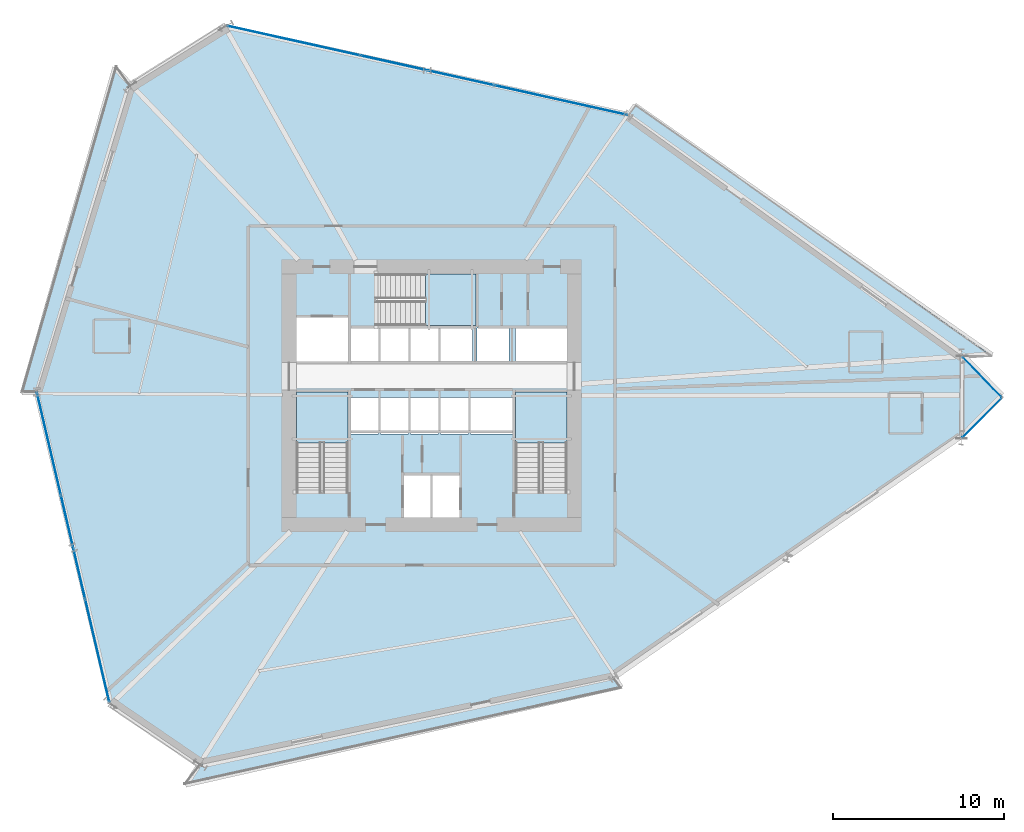
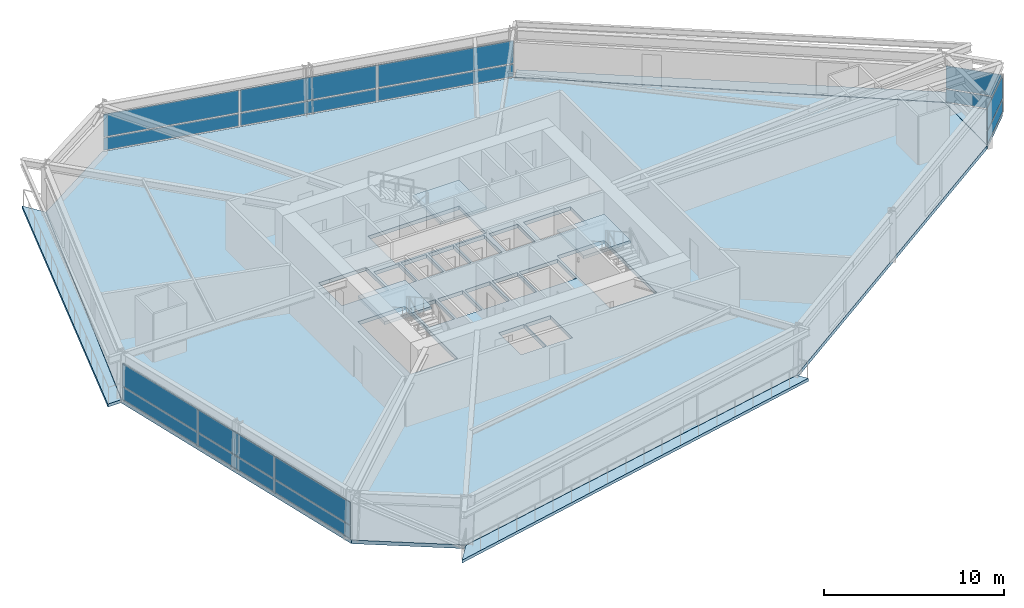
# One storey, part 14 of 24: 16 plates, 8 slabs, 7 elements without a shape of their own.
"""IFC4 building model written with IfcOpenShell, lengths in metres."""

from ifc_helpers import new_model, si_unit, direction, frame, origin, origin_2d, place, context, subcontext, project, spatial, polyline, rectangle, outline, extrude, source, transform, mapped, material, layer, layer_set, type_object, element, aggregate, save


model = new_model("IFC4")

# Units and contexts
model_context = context("Model", 3, precision=1e-05, world=origin(), true_north=direction((0.0, 1.0)))
body_context = subcontext(model_context, "Body", "Model", "MODEL_VIEW")
ifc_project = project(units=[si_unit("LENGTHUNIT", "METRE"), si_unit("AREAUNIT", "SQUARE_METRE"), si_unit("VOLUMEUNIT", "CUBIC_METRE"), si_unit("PLANEANGLEUNIT", "RADIAN"), si_unit("MASSUNIT", "GRAM", prefix="KILO")], contexts=[model_context])

# Site, building, storey
site_placement = place(None, origin())
site = spatial("IfcSite", under=ifc_project, at=site_placement, CompositionType="ELEMENT")
building_placement = place(site_placement, origin())
building = spatial("IfcBuilding", under=site, at=building_placement, Name="Olszyna Solenne Hotel", CompositionType="ELEMENT")
storey_placement = place(building_placement, frame((0.0, 0.0, 36.39990234375)))
storey = spatial("IfcBuildingStorey", under=building, at=storey_placement, Name="L08", CompositionType="ELEMENT", Elevation=36.39990234375)

# Stair, slab
ifc_material_1 = material(Name="Concrete C40/50", Category="concrete")
stair_type = type_object("IfcStairType", Name="STR-C1", PredefinedType="TWO_QUARTER_WINDING_STAIR", material=ifc_material_1)
stair_1_placement = place(storey_placement, origin())
stair_1 = element("IfcStair", 1, at=stair_1_placement, inside=storey, type_object=stair_type, Name="L08 ST1", PredefinedType="TWO_QUARTER_WINDING_STAIR")
ifc_layer_1 = layer(ifc_material_1, 0.18994140625, Name="Concrete C40/50")
ifc_layer_set_1 = layer_set([ifc_layer_1], Name="Concrete C40/50")
slab_type_1 = type_object("IfcSlabType", Name="SL-LN190", PredefinedType="LANDING", material=ifc_layer_set_1)
slab_1_placement = place(storey_placement, frame((0.0, 0.0, 1.5751953125)))
slab_1 = element("IfcSlab", 2, at=slab_1_placement, type_object=slab_type_1, Name="ST1 landing 1", PredefinedType="LANDING", context=body_context, shape_type="SweptSolid", body=[
    extrude(outline(polyline([(33.1201171875, 23.85009765625), (33.1201171875, 26.800048828125), (30.10009765625, 26.800048828125), (30.10009765625, 23.85009765625), (33.1201171875, 23.85009765625)])), origin(), (0.0, 0.0, 1.0), 0.199951171875),
])
aggregate(stair_1, [slab_1])

stair_2_placement = place(storey_placement, origin())
stair_2 = element("IfcStair", 3, at=stair_2_placement, inside=storey, type_object=stair_type, Name="L08 ST2", PredefinedType="TWO_QUARTER_WINDING_STAIR")
slab_2_placement = place(storey_placement, frame((0.0, 0.0, 1.5751953125)))
slab_2 = element("IfcSlab", 4, at=slab_2_placement, type_object=slab_type_1, Name="ST2 landing 1", PredefinedType="LANDING", context=body_context, shape_type="SweptSolid", body=[
    extrude(outline(polyline([(45.89990234375, 23.85009765625), (45.89990234375, 26.800048828125), (42.8798828125, 26.800048828125), (42.8798828125, 23.85009765625), (45.89990234375, 23.85009765625)])), origin(), (0.0, 0.0, 1.0), 0.199951171875),
])
aggregate(stair_2, [slab_2])

stair_3_placement = place(storey_placement, origin())
stair_3 = element("IfcStair", 5, at=stair_3_placement, inside=storey, type_object=stair_type, Name="L08 ST3", PredefinedType="TWO_QUARTER_WINDING_STAIR")
slab_3_placement = place(storey_placement, frame((0.0, 0.0, 1.5751953125)))
slab_3 = element("IfcSlab", 6, at=slab_3_placement, type_object=slab_type_1, Name="ST3 landing 1", PredefinedType="LANDING", context=body_context, shape_type="SweptSolid", body=[
    extrude(outline(polyline([(37.6298828125, 30.679931640625), (40.580078125, 30.679931640625), (40.580078125, 33.699951171875), (37.6298828125, 33.699951171875), (37.6298828125, 30.679931640625)])), origin(), (0.0, 0.0, 1.0), 0.199951171875),
])
aggregate(stair_3, [slab_3])

# Slabs
ifc_material_2 = material(Name="Precast concrete C45/55", Category="concrete")
ifc_layer_2 = layer(ifc_material_2, 0.199951171875, Name="Precast concrete C45/55")
ifc_layer_set_2 = layer_set([ifc_layer_2], Name="Precast concrete C45/55")
slab_type_2 = type_object("IfcSlabType", Name="SL-LOG200", PredefinedType="FLOOR", material=ifc_layer_set_2)
slab_4_placement = place(storey_placement, frame((0.0, 0.0, -0.199951171875)))
element("IfcSlab", 7, at=slab_4_placement, inside=storey, type_object=slab_type_2, Name="Exterior loggia balcony slab SL-L08-LG1", PredefinedType="FLOOR", context=body_context, shape_type="SweptSolid", body=[
    extrude(outline(polyline([(49.49267578125, 42.97705078125), (68.97412109375, 28.906494140625), (68.97509765625, 28.90576171875), (68.97607421875, 28.90478515625), (68.986083984375, 28.894287109375), (70.746337890625, 28.88720703125), (49.947998046875, 43.549560546875), (49.49267578125, 42.97705078125)])), origin(), (0.0, 0.0, 1.0), 0.199951171875),
])
slab_5_placement = place(storey_placement, frame((0.0, 0.0, -0.199951171875)))
element("IfcSlab", 8, at=slab_5_placement, inside=storey, type_object=slab_type_2, Name="Exterior loggia balcony slab SL-L08-LG2", PredefinedType="FLOOR", context=body_context, shape_type="SweptSolid", body=[
    extrude(outline(polyline([(14.940673828125, 26.83349609375), (14.94091796875, 26.834716796875), (14.94091796875, 26.836181640625), (14.94140625, 26.837646484375), (20.38525390625, 44.683837890625), (20.3857421875, 44.685302734375), (20.386474609375, 44.686767578125), (20.38720703125, 44.68798828125), (20.38818359375, 44.689208984375), (20.38916015625, 44.690185546875), (20.390380859375, 44.69140625), (20.390869140625, 44.691650390625), (19.5478515625, 45.855224609375), (14.065185546875, 26.8369140625), (14.940673828125, 26.83349609375)])), origin(), (0.0, 0.0, 1.0), 0.199951171875),
])
slab_6_placement = place(storey_placement, frame((0.0, 0.0, -0.199951171875)))
element("IfcSlab", 9, at=slab_6_placement, inside=storey, type_object=slab_type_2, Name="Exterior loggia balcony slab SL-L08-LG3", PredefinedType="FLOOR", context=body_context, shape_type="SweptSolid", body=[
    extrude(outline(polyline([(48.620849609375, 10.1162109375), (48.62060546875, 10.115966796875), (48.619140625, 10.115234375), (48.617919921875, 10.114501953125), (48.616455078125, 10.114013671875), (48.614990234375, 10.113525390625), (24.482666015625, 5.046875), (24.481201171875, 5.046630859375), (24.479736328125, 5.046630859375), (24.478271484375, 5.046630859375), (24.476806640625, 5.046875), (24.47509765625, 5.04736328125), (24.473876953125, 5.0478515625), (24.472412109375, 5.04833984375), (24.47119140625, 5.04931640625), (24.47021484375, 5.0498046875), (23.55029296875, 3.892822265625), (49.037841796875, 9.540283203125), (48.620849609375, 10.1162109375)])), origin(), (0.0, 0.0, 1.0), 0.199951171875),
])
ifc_material_3 = material(Name="Concrete C50/60", Category="concrete")
ifc_layer_3 = layer(ifc_material_3, 0.25, Name="Concrete C50/60")
ifc_layer_set_3 = layer_set([ifc_layer_3], Name="Concrete C50/60")
slab_type_3 = type_object("IfcSlabType", Name="SL-TW250", PredefinedType="FLOOR", material=ifc_layer_set_3)
slab_7_placement = place(storey_placement, frame((0.0, 0.0, -0.25)))
element("IfcSlab", 10, at=slab_7_placement, inside=storey, type_object=slab_type_3, Name="Floor slab SL-TW250 SL-L08-01", PredefinedType="FLOOR", context=body_context, shape_type="SweptSolid", body=[
    extrude(outline(polyline([(68.923583984375, 24.10986328125), (68.96533203125, 28.894287109375), (49.4833984375, 42.965087890625), (26.026123046875, 48.18896484375), (20.399658203125, 44.679443359375), (14.955810546875, 26.833251953125), (19.205810546875, 8.665771484375), (24.4794921875, 5.0615234375), (48.612060546875, 10.12841796875), (68.923583984375, 24.10986328125)]), holes=[polyline([(30.10009765625, 20.949951171875), (33.1201171875, 20.949951171875), (33.1201171875, 26.800048828125), (30.10009765625, 26.800048828125), (30.10009765625, 20.949951171875)]), polyline([(42.8798828125, 20.949951171875), (45.89990234375, 20.949951171875), (45.89990234375, 26.800048828125), (42.8798828125, 26.800048828125), (42.8798828125, 20.949951171875)]), polyline([(34.72998046875, 30.679931640625), (40.580078125, 30.679931640625), (40.580078125, 33.699951171875), (34.72998046875, 33.699951171875), (34.72998046875, 30.679931640625)]), polyline([(36.340087890625, 19.5), (37.9599609375, 19.5), (37.9599609375, 21.9599609375), (36.340087890625, 21.9599609375), (36.340087890625, 19.5)]), polyline([(38.0400390625, 19.5), (39.659912109375, 19.5), (39.659912109375, 21.9599609375), (38.0400390625, 21.9599609375), (38.0400390625, 19.5)]), polyline([(30.10009765625, 28.60009765625), (33.1201171875, 28.60009765625), (33.1201171875, 31.159912109375), (30.10009765625, 31.159912109375), (30.10009765625, 28.60009765625)]), polyline([(33.280029296875, 24.360107421875), (34.89990234375, 24.360107421875), (34.89990234375, 26.5), (33.280029296875, 26.5), (33.280029296875, 24.360107421875)]), polyline([(35.030029296875, 24.360107421875), (36.64990234375, 24.360107421875), (36.64990234375, 26.5), (35.030029296875, 26.5), (35.030029296875, 24.360107421875)]), polyline([(36.780029296875, 24.360107421875), (38.39990234375, 24.360107421875), (38.39990234375, 26.5), (36.780029296875, 26.5), (36.780029296875, 24.360107421875)]), polyline([(38.530029296875, 24.360107421875), (40.14990234375, 24.360107421875), (40.14990234375, 26.5), (38.530029296875, 26.5), (38.530029296875, 24.360107421875)]), polyline([(40.280029296875, 24.360107421875), (42.719970703125, 24.360107421875), (42.719970703125, 26.5), (40.280029296875, 26.5), (40.280029296875, 24.360107421875)]), polyline([(33.280029296875, 28.60009765625), (34.89990234375, 28.60009765625), (34.89990234375, 30.550048828125), (33.280029296875, 30.550048828125), (33.280029296875, 28.60009765625)]), polyline([(35.030029296875, 28.60009765625), (36.64990234375, 28.60009765625), (36.64990234375, 30.550048828125), (35.030029296875, 30.550048828125), (35.030029296875, 28.60009765625)]), polyline([(36.780029296875, 28.60009765625), (38.39990234375, 28.60009765625), (38.39990234375, 30.550048828125), (36.780029296875, 30.550048828125), (36.780029296875, 28.60009765625)]), polyline([(38.530029296875, 28.60009765625), (40.389892578125, 28.60009765625), (40.389892578125, 30.550048828125), (38.530029296875, 30.550048828125), (38.530029296875, 28.60009765625)]), polyline([(40.659912109375, 28.60009765625), (42.52001953125, 28.60009765625), (42.52001953125, 30.550048828125), (40.659912109375, 30.550048828125), (40.659912109375, 28.60009765625)]), polyline([(42.8798828125, 28.60009765625), (45.89990234375, 28.60009765625), (45.89990234375, 30.550048828125), (42.8798828125, 30.550048828125), (42.8798828125, 28.60009765625)])]), origin(), (0.0, 0.0, 1.0), 0.25),
])
slab_8_placement = place(storey_placement, frame((0.0, 0.0, -0.25)))
element("IfcSlab", 11, at=slab_8_placement, inside=storey, type_object=slab_type_3, Name="Faceted glass-prism floor slab SL-L08-PR", PredefinedType="FLOOR", context=body_context, shape_type="SweptSolid", body=[
    extrude(outline(polyline([(68.97509765625, 28.884033203125), (68.933837890625, 24.1201171875), (71.29443359375, 26.481689453125), (68.97509765625, 28.884033203125)])), origin(), (0.0, 0.0, 1.0), 0.25),
])

# Curtain wall, plates
ifc_material_4 = material(Name="Anodised bronze aluminium", Category="aluminium")
curtain_wall_type_1 = type_object("IfcCurtainWallType", Name="CW-SYS-2", PredefinedType="NOTDEFINED", material=ifc_material_4)
curtain_wall_1_placement = place(storey_placement, origin())
curtain_wall_1 = element("IfcCurtainWall", 12, at=curtain_wall_1_placement, inside=storey, type_object=curtain_wall_type_1, Name="Unitised curtain wall CW-SYS-2 CW-L08-01", PredefinedType="NOTDEFINED")
ifc_material_5 = material(Name="Terracotta cladding", Category="masonry")
plate_type_1 = type_object("IfcPlateType", Name="PN-SP1", PredefinedType="CURTAIN_PANEL", material=ifc_material_5)
shared_shape_1 = source(origin(), body_context, "Body", "SweptSolid", [
    extrude(rectangle(XDim=6.144287109375, YDim=0.035888671875, at=origin_2d()), origin(), (0.0, 0.0, 1.0), 0.83740234375),
])
plate_1_placement = place(storey_placement, frame((17.080810546875, 17.74951171875, 0.0751953125), z_axis=(0.0, 0.0, 1.0), x_axis=(0.227789543376, -0.973710390172, 0.0)))
plate_1 = element("IfcPlate", 13, at=plate_1_placement, type_object=plate_type_1, Name="Curtain-wall panel PN-SP1 CP-L08-01-03", PredefinedType="CURTAIN_PANEL", context=body_context, shape_type="MappedRepresentation", body=[
    mapped(shared_shape_1, transform((0.0, 0.0, 0.0), x_axis=(1.0, 0.0, 0.0), y_axis=(0.0, 1.0, 0.0), z_axis=(0.0, 0.0, 1.0), scale=1.0)),
])
ifc_material_6 = material(Name="Low-E triple glazing", Category="glass")
plate_type_2 = type_object("IfcPlateType", Name="PN-GL1", PredefinedType="CURTAIN_PANEL", material=ifc_material_6)
shared_shape_2 = source(origin(), body_context, "Body", "SweptSolid", [
    extrude(rectangle(XDim=6.144287109375, YDim=0.035888671875, at=origin_2d()), origin(), (0.0, 0.0, 1.0), 1.529541015625),
])
plate_2_placement = place(storey_placement, frame((17.080810546875, 17.74951171875, 0.98779296875), z_axis=(0.0, 0.0, 1.0), x_axis=(0.227789543376, -0.973710390172, 0.0)))
plate_2 = element("IfcPlate", 14, at=plate_2_placement, type_object=plate_type_2, Name="Curtain-wall panel PN-GL1 CP-L08-01-04", PredefinedType="CURTAIN_PANEL", context=body_context, shape_type="MappedRepresentation", body=[
    mapped(shared_shape_2, transform((0.0, 0.0, 0.0), x_axis=(1.0, 0.0, 0.0), y_axis=(0.0, 1.0, 0.0), z_axis=(0.0, 0.0, 1.0), scale=1.0)),
])

curtain_wall_2_placement = place(storey_placement, origin())
curtain_wall_2 = element("IfcCurtainWall", 15, at=curtain_wall_2_placement, inside=storey, type_object=curtain_wall_type_1, Name="Unitised curtain wall CW-SYS-2 CW-L08-02", PredefinedType="NOTDEFINED")
shared_shape_3 = source(origin(), body_context, "Body", "SweptSolid", [
    extrude(rectangle(XDim=7.898193359375, YDim=0.035888671875, at=origin_2d()), origin(), (0.0, 0.0, 1.0), 0.83740234375),
])
plate_3_placement = place(storey_placement, frame((29.953857421875, 47.314208984375, 0.0751953125), z_axis=(0.0, 0.0, 1.0), x_axis=(0.976090327044, -0.217365299555, 0.0)))
plate_3 = element("IfcPlate", 16, at=plate_3_placement, type_object=plate_type_1, Name="Curtain-wall panel PN-SP1 CP-L08-02-01", PredefinedType="CURTAIN_PANEL", context=body_context, shape_type="MappedRepresentation", body=[
    mapped(shared_shape_3, transform((0.0, 0.0, 0.0), x_axis=(1.0, 0.0, 0.0), y_axis=(0.0, 1.0, 0.0), z_axis=(0.0, 0.0, 1.0), scale=1.0)),
])
plate_4_placement = place(storey_placement, frame((45.5556640625, 43.83984375, 0.0751953125), z_axis=(0.0, 0.0, 1.0), x_axis=(0.976090327044, -0.217365299555, 0.0)))
plate_4 = element("IfcPlate", 17, at=plate_4_placement, type_object=plate_type_1, Name="Curtain-wall panel PN-SP1 CP-L08-02-05", PredefinedType="CURTAIN_PANEL", context=body_context, shape_type="MappedRepresentation", body=[
    mapped(shared_shape_3, transform((0.0, 0.0, 0.0), x_axis=(1.0, 0.0, 0.0), y_axis=(0.0, 1.0, 0.0), z_axis=(0.0, 0.0, 1.0), scale=1.0)),
])
shared_shape_4 = source(origin(), body_context, "Body", "SweptSolid", [
    extrude(rectangle(XDim=7.898193359375, YDim=0.035888671875, at=origin_2d()), origin(), (0.0, 0.0, 1.0), 1.529541015625),
])
plate_5_placement = place(storey_placement, frame((29.953857421875, 47.314208984375, 0.98779296875), z_axis=(0.0, 0.0, 1.0), x_axis=(0.976090327044, -0.217365299555, 0.0)))
plate_5 = element("IfcPlate", 18, at=plate_5_placement, type_object=plate_type_2, Name="Curtain-wall panel PN-GL1 CP-L08-02-02", PredefinedType="CURTAIN_PANEL", context=body_context, shape_type="MappedRepresentation", body=[
    mapped(shared_shape_4, transform((0.0, 0.0, 0.0), x_axis=(1.0, 0.0, 0.0), y_axis=(0.0, 1.0, 0.0), z_axis=(0.0, 0.0, 1.0), scale=1.0)),
])
plate_6_placement = place(storey_placement, frame((45.5556640625, 43.83984375, 0.98779296875), z_axis=(0.0, 0.0, 1.0), x_axis=(0.976090327044, -0.217365299555, 0.0)))
plate_6 = element("IfcPlate", 19, at=plate_6_placement, type_object=plate_type_2, Name="Curtain-wall panel PN-GL1 CP-L08-02-06", PredefinedType="CURTAIN_PANEL", context=body_context, shape_type="MappedRepresentation", body=[
    mapped(shared_shape_4, transform((0.0, 0.0, 0.0), x_axis=(1.0, 0.0, 0.0), y_axis=(0.0, 1.0, 0.0), z_axis=(0.0, 0.0, 1.0), scale=1.0)),
])
shared_shape_5 = source(origin(), body_context, "Body", "SweptSolid", [
    extrude(rectangle(XDim=7.935546875, YDim=0.035888671875, at=origin_2d()), origin(), (0.0, 0.0, 1.0), 0.83740234375),
])
plate_7_placement = place(storey_placement, frame((37.754638671875, 45.5771484375, 0.0751953125), z_axis=(0.0, 0.0, 1.0), x_axis=(0.976090327044, -0.217365299555, 0.0)))
plate_7 = element("IfcPlate", 20, at=plate_7_placement, type_object=plate_type_1, Name="Curtain-wall panel PN-SP1 CP-L08-02-03", PredefinedType="CURTAIN_PANEL", context=body_context, shape_type="MappedRepresentation", body=[
    mapped(shared_shape_5, transform((0.0, 0.0, 0.0), x_axis=(1.0, 0.0, 0.0), y_axis=(0.0, 1.0, 0.0), z_axis=(0.0, 0.0, 1.0), scale=1.0)),
])
shared_shape_6 = source(origin(), body_context, "Body", "SweptSolid", [
    extrude(rectangle(XDim=7.935546875, YDim=0.035888671875, at=origin_2d()), origin(), (0.0, 0.0, 1.0), 1.529541015625),
])
plate_8_placement = place(storey_placement, frame((37.754638671875, 45.5771484375, 0.98779296875), z_axis=(0.0, 0.0, 1.0), x_axis=(0.976090327044, -0.217365299555, 0.0)))
plate_8 = element("IfcPlate", 21, at=plate_8_placement, type_object=plate_type_2, Name="Curtain-wall panel PN-GL1 CP-L08-02-04", PredefinedType="CURTAIN_PANEL", context=body_context, shape_type="MappedRepresentation", body=[
    mapped(shared_shape_6, transform((0.0, 0.0, 0.0), x_axis=(1.0, 0.0, 0.0), y_axis=(0.0, 1.0, 0.0), z_axis=(0.0, 0.0, 1.0), scale=1.0)),
])
aggregate(curtain_wall_2, [plate_3, plate_5, plate_7, plate_8, plate_4, plate_6])

# Plate
shared_shape_7 = source(origin(), body_context, "Body", "SweptSolid", [
    extrude(rectangle(XDim=6.10693359375, YDim=0.035888671875, at=origin_2d()), origin(), (0.0, 0.0, 1.0), 0.83740234375),
])
plate_9_placement = place(storey_placement, frame((15.668212890625, 23.787109375, 0.0751953125), z_axis=(0.0, 0.0, 1.0), x_axis=(0.227789543376, -0.973710390172, 0.0)))
plate_9 = element("IfcPlate", 22, at=plate_9_placement, type_object=plate_type_1, Name="Curtain-wall panel PN-SP1 CP-L08-01-01", PredefinedType="CURTAIN_PANEL", context=body_context, shape_type="MappedRepresentation", body=[
    mapped(shared_shape_7, transform((0.0, 0.0, 0.0), x_axis=(1.0, 0.0, 0.0), y_axis=(0.0, 1.0, 0.0), z_axis=(0.0, 0.0, 1.0), scale=1.0)),
])

plate_10_placement = place(storey_placement, frame((18.4931640625, 11.7119140625, 0.0751953125), z_axis=(0.0, 0.0, 1.0), x_axis=(0.227789543376, -0.973710390172, 0.0)))
plate_10 = element("IfcPlate", 23, at=plate_10_placement, type_object=plate_type_1, Name="Curtain-wall panel PN-SP1 CP-L08-01-05", PredefinedType="CURTAIN_PANEL", context=body_context, shape_type="MappedRepresentation", body=[
    mapped(shared_shape_7, transform((0.0, 0.0, 0.0), x_axis=(1.0, 0.0, 0.0), y_axis=(0.0, 1.0, 0.0), z_axis=(0.0, 0.0, 1.0), scale=1.0)),
])

shared_shape_8 = source(origin(), body_context, "Body", "SweptSolid", [
    extrude(rectangle(XDim=6.10693359375, YDim=0.035888671875, at=origin_2d()), origin(), (0.0, 0.0, 1.0), 1.529541015625),
])
plate_11_placement = place(storey_placement, frame((15.668212890625, 23.787109375, 0.98779296875), z_axis=(0.0, 0.0, 1.0), x_axis=(0.227789543376, -0.973710390172, 0.0)))
plate_11 = element("IfcPlate", 24, at=plate_11_placement, type_object=plate_type_2, Name="Curtain-wall panel PN-GL1 CP-L08-01-02", PredefinedType="CURTAIN_PANEL", context=body_context, shape_type="MappedRepresentation", body=[
    mapped(shared_shape_8, transform((0.0, 0.0, 0.0), x_axis=(1.0, 0.0, 0.0), y_axis=(0.0, 1.0, 0.0), z_axis=(0.0, 0.0, 1.0), scale=1.0)),
])

plate_12_placement = place(storey_placement, frame((18.4931640625, 11.7119140625, 0.98779296875), z_axis=(0.0, 0.0, 1.0), x_axis=(0.227789543376, -0.973710390172, 0.0)))
plate_12 = element("IfcPlate", 25, at=plate_12_placement, type_object=plate_type_2, Name="Curtain-wall panel PN-GL1 CP-L08-01-06", PredefinedType="CURTAIN_PANEL", context=body_context, shape_type="MappedRepresentation", body=[
    mapped(shared_shape_8, transform((0.0, 0.0, 0.0), x_axis=(1.0, 0.0, 0.0), y_axis=(0.0, 1.0, 0.0), z_axis=(0.0, 0.0, 1.0), scale=1.0)),
])

aggregate(curtain_wall_1, [plate_9, plate_11, plate_1, plate_2, plate_10, plate_12])

# Curtain wall, plate
curtain_wall_type_2 = type_object("IfcCurtainWallType", Name="CW-SYS-5", PredefinedType="NOTDEFINED", material=ifc_material_4)
curtain_wall_3_placement = place(storey_placement, origin())
curtain_wall_3 = element("IfcCurtainWall", 26, at=curtain_wall_3_placement, inside=storey, type_object=curtain_wall_type_2, Name="Unitised curtain wall CW-SYS-5 CW-L08-03", PredefinedType="NOTDEFINED")
plate_type_3 = type_object("IfcPlateType", Name="PN-PR1", PredefinedType="CURTAIN_PANEL", material=ifc_material_6)
shared_shape_9 = source(origin(), body_context, "Body", "SweptSolid", [
    extrude(rectangle(XDim=3.203369140625, YDim=0.028076171875, at=origin_2d()), origin(), (0.0, 0.0, 1.0), 0.83740234375),
])
plate_13_placement = place(storey_placement, frame((70.1298828125, 27.68798828125, 0.0751953125), z_axis=(0.0, 0.0, 1.0), x_axis=(0.694532247416, -0.719461574581, 0.0)))
plate_13 = element("IfcPlate", 27, at=plate_13_placement, type_object=plate_type_3, Name="Curtain-wall panel PN-PR1 CP-L08-03-01", PredefinedType="CURTAIN_PANEL", context=body_context, shape_type="MappedRepresentation", body=[
    mapped(shared_shape_9, transform((0.0, 0.0, 0.0), x_axis=(1.0, 0.0, 0.0), y_axis=(0.0, 1.0, 0.0), z_axis=(0.0, 0.0, 1.0), scale=1.0)),
])

curtain_wall_4_placement = place(storey_placement, origin())
curtain_wall_4 = element("IfcCurtainWall", 28, at=curtain_wall_4_placement, inside=storey, type_object=curtain_wall_type_2, Name="Unitised curtain wall CW-SYS-5 CW-L08-04", PredefinedType="NOTDEFINED")
plate_14_placement = place(storey_placement, frame((70.109130859375, 25.2958984375, 0.0751953125), z_axis=(0.0, 0.0, 1.0), x_axis=(0.706942752169, 0.707270772163, 0.0)))
plate_14 = element("IfcPlate", 29, at=plate_14_placement, type_object=plate_type_3, Name="Curtain-wall panel PN-PR1 CP-L08-04-01", PredefinedType="CURTAIN_PANEL", context=body_context, shape_type="MappedRepresentation", body=[
    mapped(shared_shape_9, transform((0.0, 0.0, 0.0), x_axis=(1.0, 0.0, 0.0), y_axis=(0.0, 1.0, 0.0), z_axis=(0.0, 0.0, 1.0), scale=1.0)),
])

# Plate
shared_shape_10 = source(origin(), body_context, "Body", "SweptSolid", [
    extrude(rectangle(XDim=3.203369140625, YDim=0.028076171875, at=origin_2d()), origin(), (0.0, 0.0, 1.0), 1.529541015625),
])
plate_15_placement = place(storey_placement, frame((70.1298828125, 27.68798828125, 0.98779296875), z_axis=(0.0, 0.0, 1.0), x_axis=(0.694532247416, -0.719461574581, 0.0)))
plate_15 = element("IfcPlate", 30, at=plate_15_placement, type_object=plate_type_3, Name="Curtain-wall panel PN-PR1 CP-L08-03-02", PredefinedType="CURTAIN_PANEL", context=body_context, shape_type="MappedRepresentation", body=[
    mapped(shared_shape_10, transform((0.0, 0.0, 0.0), x_axis=(1.0, 0.0, 0.0), y_axis=(0.0, 1.0, 0.0), z_axis=(0.0, 0.0, 1.0), scale=1.0)),
])

aggregate(curtain_wall_3, [plate_13, plate_15])

plate_16_placement = place(storey_placement, frame((70.109130859375, 25.2958984375, 0.98779296875), z_axis=(0.0, 0.0, 1.0), x_axis=(0.706942752169, 0.707270772163, 0.0)))
plate_16 = element("IfcPlate", 31, at=plate_16_placement, type_object=plate_type_3, Name="Curtain-wall panel PN-PR1 CP-L08-04-02", PredefinedType="CURTAIN_PANEL", context=body_context, shape_type="MappedRepresentation", body=[
    mapped(shared_shape_10, transform((0.0, 0.0, 0.0), x_axis=(1.0, 0.0, 0.0), y_axis=(0.0, 1.0, 0.0), z_axis=(0.0, 0.0, 1.0), scale=1.0)),
])

aggregate(curtain_wall_4, [plate_14, plate_16])

save(model, "model.ifc")
